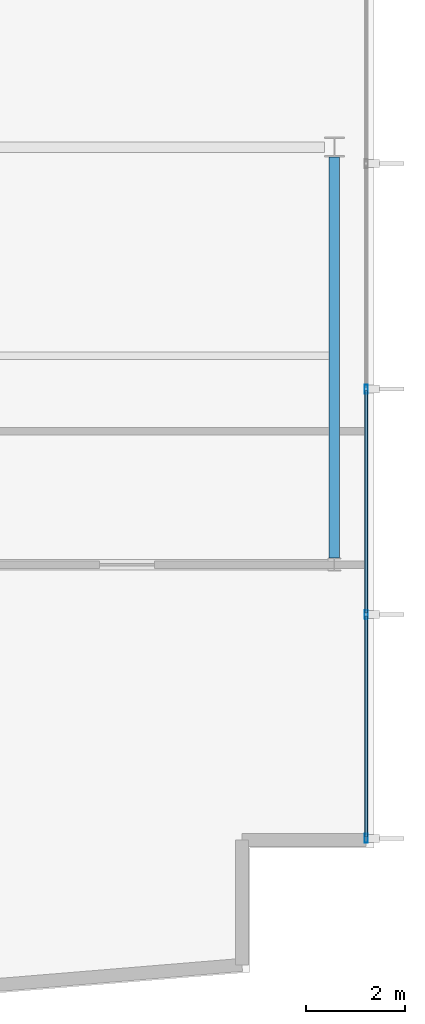
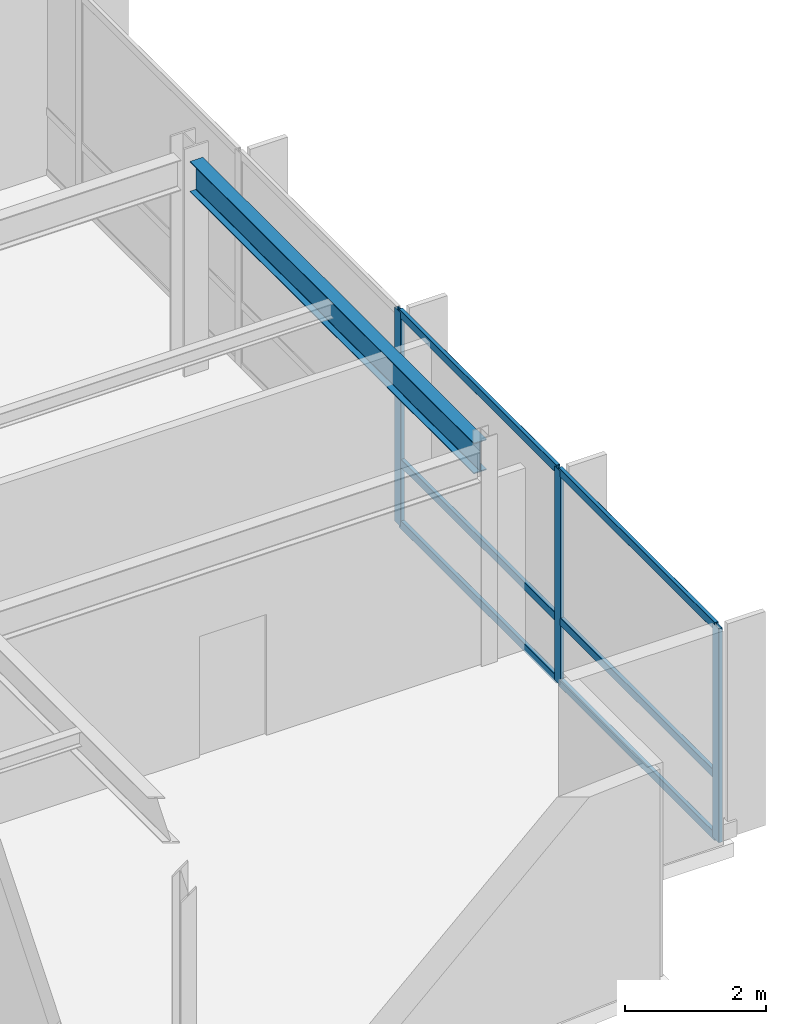
# One storey, part 5 of 16: 9 members, 1 beam, 1 element without a shape of its own.
"""IFC4 building model written with IfcOpenShell, lengths in metres."""

import ifcopenshell
import ifcopenshell.guid

model = None  # the IFC model being written
_history = None  # IfcOwnerHistory: only IFC2X3 demands one
_inside = {}  # id of a spatial element -> (the spatial element, [elements in it])
_under = {}  # id of a project, library or spatial element -> (it, [spatial elements below it])
_declared = {}  # id of a project -> (the project, [libraries it declares])
_typed = {}  # id of a type object -> (the type object, [elements of that type])
_made_of = {}  # id of a material, layer set ... -> (it, [elements and type objects made of it])


def new_model(schema):
    """Start an empty IFC model of exactly this schema.

    Asked for "IFC4X3", IfcOpenShell would pick the latest addendum, in which some entities
    have other attributes; the version numbers below select the first issue.
    IFC2X3 requires an IfcOwnerHistory on every rooted entity: one is made here for all.
    """
    global model, _history
    if schema == "IFC4X3":
        model = ifcopenshell.file(schema_version=(4, 3, 0, 0))
    else:
        model = ifcopenshell.file(schema=schema)
    _inside.clear()
    _under.clear()
    _declared.clear()
    _typed.clear()
    _made_of.clear()
    _history = None
    if model.schema == "IFC2X3":
        org = make("IfcOrganization", Name="unknown")
        user = make(
            "IfcPersonAndOrganization",
            ThePerson=make("IfcPerson", FamilyName="unknown"),
            TheOrganization=org,
        )
        app = make(
            "IfcApplication",
            ApplicationDeveloper=org,
            Version="unknown",
            ApplicationFullName="unknown",
            ApplicationIdentifier="unknown",
        )
        _history = make(
            "IfcOwnerHistory",
            OwningUser=user,
            OwningApplication=app,
            ChangeAction="ADDED",
            CreationDate=0,
        )
    return model


def make(cls, **values):
    """One entity of the class cls with the attributes given. An attribute that is None is left unset."""
    return model.create_entity(
        cls, **{name: value for name, value in values.items() if value is not None}
    )


def rooted(cls, **values):
    """An entity with a GlobalId (a new one), such as an element, a storey or a relation."""
    return make(cls, GlobalId=ifcopenshell.guid.new(), OwnerHistory=_history, **values)


def si_unit(unit_type, name, prefix=None):
    """IfcSIUnit, for example si_unit("LENGTHUNIT", "METRE", prefix="MILLI")."""
    return make("IfcSIUnit", UnitType=unit_type, Prefix=prefix, Name=name)


def assignment(units):
    """IfcUnitAssignment: the units of a project."""
    return None if units is None else make("IfcUnitAssignment", Units=units)


def point(xyz):
    """IfcCartesianPoint."""
    return None if xyz is None else make("IfcCartesianPoint", Coordinates=xyz)


def direction(xyz):
    """IfcDirection."""
    return None if xyz is None else make("IfcDirection", DirectionRatios=xyz)


def frame(location, z_axis=None, x_axis=None):
    """IfcAxis2Placement3D, a coordinate frame: its origin and axes. An axis left out is left unset."""
    return make(
        "IfcAxis2Placement3D",
        Location=point(location),
        Axis=direction(z_axis),
        RefDirection=direction(x_axis),
    )


def frame_2d(location, x_axis=None):
    """IfcAxis2Placement2D, a coordinate frame in the plane: its origin and x axis."""
    return make(
        "IfcAxis2Placement2D", Location=point(location), RefDirection=direction(x_axis)
    )


def origin():
    """The frame at (0, 0, 0) with its axes left unset."""
    return frame((0.0, 0.0, 0.0))


def origin_2d():
    """The frame at (0, 0) in the plane with its x axis left unset."""
    return frame_2d((0.0, 0.0))


def place(relative_to, where):
    """IfcLocalPlacement: puts the frame where relative to a parent placement (None: the world)."""
    return make(
        "IfcLocalPlacement", PlacementRelTo=relative_to, RelativePlacement=where
    )


def context(
    kind, dimensions, precision=None, world=None, true_north=None, identifier=None
):
    """IfcGeometricRepresentationContext, for example the 3D "Model" context."""
    return make(
        "IfcGeometricRepresentationContext",
        ContextIdentifier=identifier,
        ContextType=kind,
        CoordinateSpaceDimension=dimensions,
        Precision=precision,
        WorldCoordinateSystem=world,
        TrueNorth=true_north,
    )


def subcontext(parent, identifier, kind, view, scale=None):
    """IfcGeometricRepresentationSubContext, for example "Body" below "Model"."""
    return make(
        "IfcGeometricRepresentationSubContext",
        ContextIdentifier=identifier,
        ContextType=kind,
        ParentContext=parent,
        TargetScale=scale,
        TargetView=view,
    )


def project(units=None, contexts=None):
    """IfcProject with its units and contexts."""
    return rooted(
        "IfcProject",
        Name="project",
        RepresentationContexts=contexts,
        UnitsInContext=assignment(units),
    )


def spatial(cls, under=None, at=None, **own):
    """A site, building, storey or space (cls), placed at a placement, below another one or the project."""
    s = rooted(cls, ObjectPlacement=at, **own)
    if under is not None:
        _under.setdefault(under.id(), (under, []))[1].append(s)
    return s


def profile(cls, at=None, kind="AREA", **sizes):
    """A parametric profile (cls). Its sizes go by their IFC names, for example OverallWidth=200.0."""
    return make(cls, ProfileType=kind, Position=at, **sizes)


def hollow_rectangle(**sizes):
    """IfcRectangleHollowProfileDef."""
    return profile("IfcRectangleHollowProfileDef", **sizes)


def i_section(**sizes):
    """IfcIShapeProfileDef."""
    return profile("IfcIShapeProfileDef", **sizes)


def extrude(swept, where, along, depth):
    """IfcExtrudedAreaSolid: the profile swept, set in the frame where, extruded along a direction by depth."""
    return make(
        "IfcExtrudedAreaSolid",
        SweptArea=swept,
        Position=where,
        ExtrudedDirection=direction(along),
        Depth=depth,
    )


def shape(context_of_items, identifier, shape_type, items):
    """IfcShapeRepresentation: the items that make up one representation, for example the "Body"."""
    return make(
        "IfcShapeRepresentation",
        ContextOfItems=context_of_items,
        RepresentationIdentifier=identifier,
        RepresentationType=shape_type,
        Items=items,
    )


def material(Name=None, Category=None):
    """IfcMaterial."""
    return make("IfcMaterial", Name=Name, Category=Category)


def layer(
    of_material, thickness, ventilated=None, Name=None, Category=None, Priority=None
):
    """IfcMaterialLayer: one layer of a wall or slab, of a material (None: an air gap)."""
    return make(
        "IfcMaterialLayer",
        Material=of_material,
        LayerThickness=thickness,
        IsVentilated=ventilated,
        Name=Name,
        Category=Category,
        Priority=Priority,
    )


def layer_set(layers, Name=None):
    """IfcMaterialLayerSet."""
    return make("IfcMaterialLayerSet", MaterialLayers=layers, LayerSetName=Name)


def material_profile(
    of_material, cross_section, Name=None, Category=None, Priority=None
):
    """IfcMaterialProfile: a cross section and its material."""
    return make(
        "IfcMaterialProfile",
        Name=Name,
        Material=of_material,
        Profile=cross_section,
        Priority=Priority,
        Category=Category,
    )


def profile_set(profiles, Name=None, composite=None):
    """IfcMaterialProfileSet."""
    return make(
        "IfcMaterialProfileSet",
        Name=Name,
        MaterialProfiles=profiles,
        CompositeProfile=composite,
    )


def made_of(thing, what):
    """Note that an element or type object is made of a material, layer set ...; save() writes the relation."""
    if what is not None:
        _made_of.setdefault(what.id(), (what, []))[1].append(thing)
    return thing


def type_object(cls, material=None, **own):
    """A type object (cls), such as IfcWallType, which elements share."""
    return made_of(rooted(cls, **own), material)


def element(
    cls,
    number,
    at=None,
    inside=None,
    cuts=None,
    type_object=None,
    material=None,
    context=None,
    identifier="Body",
    shape_type=None,
    held_by="IfcProductDefinitionShape",
    body=None,
    shapes=None,
    **own,
):
    """One element of the class cls, such as IfcWall. Its Tag is "e" and its number.

    at: its placement. inside: the storey or other place that contains it. cuts: it is an
    opening in that element (IfcRelVoidsElement). A single representation is given by context,
    identifier, shape_type and body (its items); several are given by shapes. held_by: the class
    of the entity that holds the representations. save() writes the other relations.
    """
    e = rooted(cls, Tag="e%d" % number, ObjectPlacement=at, **own)
    if body is not None:
        shapes = [shape(context, identifier, shape_type, body)]
    if shapes is not None:
        e.Representation = make(held_by, Representations=shapes)
    if inside is not None:
        _inside.setdefault(inside.id(), (inside, []))[1].append(e)
    if cuts is not None:
        rooted(
            "IfcRelVoidsElement", RelatingBuildingElement=cuts, RelatedOpeningElement=e
        )
    if type_object is not None:
        _typed.setdefault(type_object.id(), (type_object, []))[1].append(e)
    return made_of(e, material)


def aggregate(whole, parts):
    """IfcRelAggregates: a whole, such as a stair, and the parts it consists of."""
    return rooted("IfcRelAggregates", RelatingObject=whole, RelatedObjects=parts)


def save(model, path):
    """Write the relations noted so far, then the file.

    IfcRelAggregates (storeys below a building ...), IfcRelContainedInSpatialStructure (elements
    in a storey), IfcRelDefinesByType, IfcRelAssociatesMaterial and IfcRelDeclares: one each for
    every whole, place, type object, material and project.
    """
    for whole, parts in _under.values():
        aggregate(whole, parts)
    for where, things in _inside.values():
        rooted(
            "IfcRelContainedInSpatialStructure",
            RelatedElements=things,
            RelatingStructure=where,
        )
    for kind, things in _typed.values():
        rooted("IfcRelDefinesByType", RelatedObjects=things, RelatingType=kind)
    for what, things in _made_of.values():
        rooted("IfcRelAssociatesMaterial", RelatedObjects=things, RelatingMaterial=what)
    for by, libraries in _declared.values():
        rooted("IfcRelDeclares", RelatingContext=by, RelatedDefinitions=libraries)
    model.write(path)


model = new_model("IFC4")

# Units and contexts
model_context = context("Model", 3, precision=1e-05, world=origin(), true_north=direction((0.0, 1.0)))
body_context = subcontext(model_context, "Body", "Model", "MODEL_VIEW")
ifc_project = project(units=[si_unit("LENGTHUNIT", "METRE"), si_unit("AREAUNIT", "SQUARE_METRE"), si_unit("VOLUMEUNIT", "CUBIC_METRE"), si_unit("PLANEANGLEUNIT", "RADIAN"), si_unit("MASSUNIT", "GRAM", prefix="KILO")], contexts=[model_context])

# Site, building, storey
site_placement = place(None, origin())
site = spatial("IfcSite", under=ifc_project, at=site_placement, CompositionType="ELEMENT")
building_placement = place(site_placement, origin())
building = spatial("IfcBuilding", under=site, at=building_placement, Name="Varnakote Quay Hospital", CompositionType="ELEMENT")
storey_placement = place(building_placement, frame((0.0, 0.0, 180.25)))
storey = spatial("IfcBuildingStorey", under=building, at=storey_placement, Name="L44", CompositionType="ELEMENT", Elevation=180.25)

# Beam
ifc_material_1 = material(Name="Structural steel AS/NZS 3679.1 Grade 350 L0 (fy 340 MPa)", Category="steel")
ifc_material_profile_1 = material_profile(ifc_material_1, i_section(OverallWidth=0.208984375, OverallDepth=0.532958984375, WebThickness=0.01025390625, FlangeThickness=0.015625, FilletRadius=0.013916015625, at=origin_2d()), Name="530UB92.4")
ifc_profile_set_1 = profile_set([ifc_material_profile_1], Name="Structural steel AS/NZS 3679.1 Grade 350 L0 (fy 340 MPa)")
beam_type = type_object("IfcBeamType", Name="BM-STL-530UB92-4", PredefinedType="BEAM", material=ifc_profile_set_1)
beam_placement = place(storey_placement, frame((50.39990234375, 12.1298828125, 3.443603515625), z_axis=(0.0, 1.0, 0.0), x_axis=(-1.0, 0.0, 0.0)))
element("IfcBeam", 1, at=beam_placement, inside=storey, type_object=beam_type, Name="L44 Primary Tie Beam", PredefinedType="BEAM", context=body_context, shape_type="SweptSolid", body=[
    extrude(i_section(OverallWidth=0.208984375, OverallDepth=0.532958984375, WebThickness=0.01025390625, FlangeThickness=0.015625, FilletRadius=0.013916015625, at=origin_2d()), origin(), (0.0, 0.0, 1.0), 8.068115234375),
])

# Curtain wall, members
ifc_material_2 = material(Name="Anodised aluminium 6063-T6 Bronze", Category="aluminium")
ifc_layer = layer(ifc_material_2, 0.219970703125)
ifc_layer_set = layer_set([ifc_layer], Name="Anodised aluminium 6063-T6 Bronze")
curtain_wall_type = type_object("IfcCurtainWallType", Name="CW-SYS-4", PredefinedType="NOTDEFINED", material=ifc_layer_set)
curtain_wall_placement = place(storey_placement, origin())
curtain_wall = element("IfcCurtainWall", 2, at=curtain_wall_placement, inside=storey, type_object=curtain_wall_type, Name="L44 Unitised Bronze Curtain Wall 1", PredefinedType="NOTDEFINED")
ifc_material_3 = material(Name="Anodised aluminium 6063-T6 Bronze", Category="aluminium")
ifc_material_profile_2 = material_profile(ifc_material_3, hollow_rectangle(XDim=0.06494140625, YDim=0.179931640625, WallThickness=0.00390625, InnerFilletRadius=0.00390625, OuterFilletRadius=0.008056640625, at=origin_2d()), Name="CW-MULL-180x65")
ifc_profile_set_2 = profile_set([ifc_material_profile_2], Name="Anodised aluminium 6063-T6 Bronze")
member_type_1 = type_object("IfcMemberType", Name="CW-MULL-180x65", PredefinedType="MULLION", material=ifc_profile_set_2)
member_1_placement = place(storey_placement, frame((51.0400390625, 6.492431640625, 0.0), z_axis=(0.0, 0.0, 1.0), x_axis=(-1.0, 0.0, 0.0)))
member_1 = element("IfcMember", 3, at=member_1_placement, type_object=member_type_1, Name="-4-L44-1 mullion 1", PredefinedType="MULLION", context=body_context, shape_type="SweptSolid", body=[
    extrude(hollow_rectangle(XDim=0.06494140625, YDim=0.179931640625, WallThickness=0.00390625, InnerFilletRadius=0.00390625, OuterFilletRadius=0.008056640625, at=origin_2d()), origin(), (0.0, 0.0, 1.0), 3.7099609375),
])
member_2_placement = place(storey_placement, frame((51.0400390625, 10.99609375, 0.0), z_axis=(0.0, 0.0, 1.0), x_axis=(-1.0, 0.0, 0.0)))
member_2 = element("IfcMember", 4, at=member_2_placement, type_object=member_type_1, Name="-4-L44-1 mullion 2", PredefinedType="MULLION", context=body_context, shape_type="SweptSolid", body=[
    extrude(hollow_rectangle(XDim=0.06494140625, YDim=0.179931640625, WallThickness=0.00390625, InnerFilletRadius=0.00390625, OuterFilletRadius=0.008056640625, at=origin_2d()), origin(), (0.0, 0.0, 1.0), 3.7099609375),
])
member_3_placement = place(storey_placement, frame((51.0400390625, 15.531982421875, 0.0), z_axis=(0.0, 0.0, 1.0), x_axis=(-1.0, 0.0, 0.0)))
member_3 = element("IfcMember", 5, at=member_3_placement, type_object=member_type_1, Name="-4-L44-1 mullion 3", PredefinedType="MULLION", context=body_context, shape_type="SweptSolid", body=[
    extrude(hollow_rectangle(XDim=0.06494140625, YDim=0.179931640625, WallThickness=0.00390625, InnerFilletRadius=0.00390625, OuterFilletRadius=0.008056640625, at=origin_2d()), origin(), (0.0, 0.0, 1.0), 3.7099609375),
])
ifc_material_4 = material(Name="Anodised aluminium 6063-T6 Bronze", Category="aluminium")
ifc_material_profile_3 = material_profile(ifc_material_4, hollow_rectangle(XDim=0.06494140625, YDim=0.139892578125, WallThickness=0.00390625, InnerFilletRadius=0.00390625, OuterFilletRadius=0.007568359375, at=origin_2d()), Name="CW-TRAN-140x65")
ifc_profile_set_3 = profile_set([ifc_material_profile_3], Name="Anodised aluminium 6063-T6 Bronze")
member_type_2 = type_object("IfcMemberType", Name="CW-TRAN-140x65", PredefinedType="USERDEFINED", material=ifc_profile_set_3)
member_4_placement = place(storey_placement, frame((51.0400390625, 6.52490234375, 0.032470703125), z_axis=(0.0, 1.0, 0.0), x_axis=(-1.0, 0.0, 0.0)))
member_4 = element("IfcMember", 6, at=member_4_placement, type_object=member_type_2, Name="-4-L44-1 transom 1.1", ObjectType="TRANSOM", PredefinedType="USERDEFINED", context=body_context, shape_type="SweptSolid", body=[
    extrude(hollow_rectangle(XDim=0.06494140625, YDim=0.139892578125, WallThickness=0.00390625, InnerFilletRadius=0.00390625, OuterFilletRadius=0.007568359375, at=origin_2d()), origin(), (0.0, 0.0, 1.0), 4.4384765625),
])
member_5_placement = place(storey_placement, frame((51.0400390625, 6.52490234375, 1.10009765625), z_axis=(0.0, 1.0, 0.0), x_axis=(-1.0, 0.0, 0.0)))
member_5 = element("IfcMember", 7, at=member_5_placement, type_object=member_type_2, Name="-4-L44-1 transom 1.2", ObjectType="TRANSOM", PredefinedType="USERDEFINED", context=body_context, shape_type="SweptSolid", body=[
    extrude(hollow_rectangle(XDim=0.06494140625, YDim=0.139892578125, WallThickness=0.00390625, InnerFilletRadius=0.00390625, OuterFilletRadius=0.007568359375, at=origin_2d()), origin(), (0.0, 0.0, 1.0), 4.4384765625),
])
member_6_placement = place(storey_placement, frame((51.0400390625, 6.52490234375, 3.677490234375), z_axis=(0.0, 1.0, 0.0), x_axis=(-1.0, 0.0, 0.0)))
member_6 = element("IfcMember", 8, at=member_6_placement, type_object=member_type_2, Name="-4-L44-1 transom 1.3", ObjectType="TRANSOM", PredefinedType="USERDEFINED", context=body_context, shape_type="SweptSolid", body=[
    extrude(hollow_rectangle(XDim=0.06494140625, YDim=0.139892578125, WallThickness=0.00390625, InnerFilletRadius=0.00390625, OuterFilletRadius=0.007568359375, at=origin_2d()), origin(), (0.0, 0.0, 1.0), 4.4384765625),
])
member_7_placement = place(storey_placement, frame((51.0400390625, 11.028564453125, 0.032470703125), z_axis=(0.0, 1.0, 0.0), x_axis=(-1.0, 0.0, 0.0)))
member_7 = element("IfcMember", 9, at=member_7_placement, type_object=member_type_2, Name="-4-L44-1 transom 2.1", ObjectType="TRANSOM", PredefinedType="USERDEFINED", context=body_context, shape_type="SweptSolid", body=[
    extrude(hollow_rectangle(XDim=0.06494140625, YDim=0.139892578125, WallThickness=0.00390625, InnerFilletRadius=0.00390625, OuterFilletRadius=0.007568359375, at=origin_2d()), origin(), (0.0, 0.0, 1.0), 4.470947265625),
])
member_8_placement = place(storey_placement, frame((51.0400390625, 11.028564453125, 1.10009765625), z_axis=(0.0, 1.0, 0.0), x_axis=(-1.0, 0.0, 0.0)))
member_8 = element("IfcMember", 10, at=member_8_placement, type_object=member_type_2, Name="-4-L44-1 transom 2.2", ObjectType="TRANSOM", PredefinedType="USERDEFINED", context=body_context, shape_type="SweptSolid", body=[
    extrude(hollow_rectangle(XDim=0.06494140625, YDim=0.139892578125, WallThickness=0.00390625, InnerFilletRadius=0.00390625, OuterFilletRadius=0.007568359375, at=origin_2d()), origin(), (0.0, 0.0, 1.0), 4.470947265625),
])
member_9_placement = place(storey_placement, frame((51.0400390625, 11.028564453125, 3.677490234375), z_axis=(0.0, 1.0, 0.0), x_axis=(-1.0, 0.0, 0.0)))
member_9 = element("IfcMember", 11, at=member_9_placement, type_object=member_type_2, Name="-4-L44-1 transom 2.3", ObjectType="TRANSOM", PredefinedType="USERDEFINED", context=body_context, shape_type="SweptSolid", body=[
    extrude(hollow_rectangle(XDim=0.06494140625, YDim=0.139892578125, WallThickness=0.00390625, InnerFilletRadius=0.00390625, OuterFilletRadius=0.007568359375, at=origin_2d()), origin(), (0.0, 0.0, 1.0), 4.470947265625),
])
aggregate(curtain_wall, [member_1, member_2, member_3, member_4, member_5, member_6, member_7, member_8, member_9])

save(model, "model.ifc")
